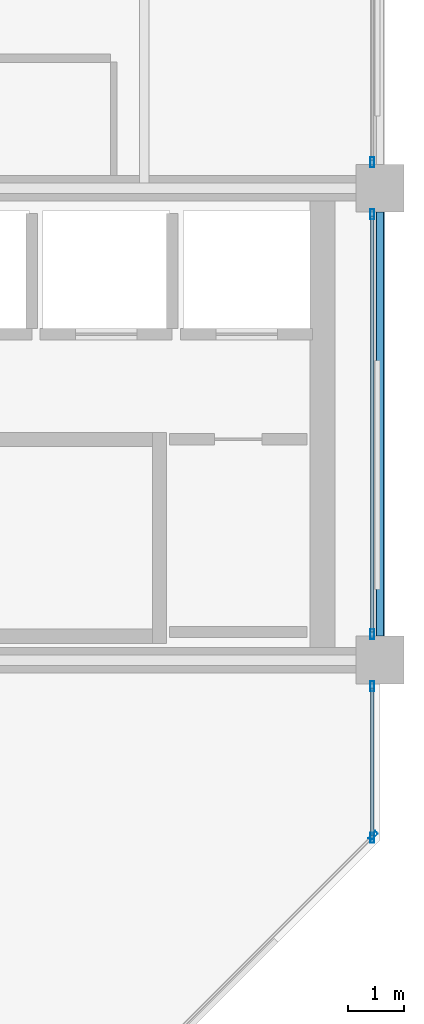
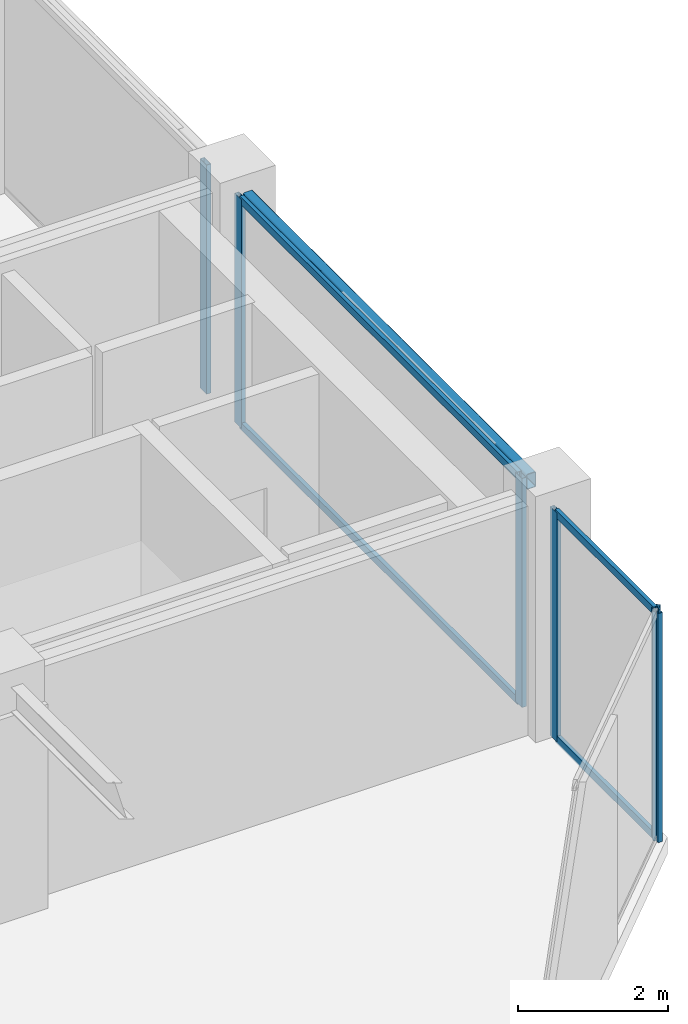
# One storey, part 14 of 24: 10 members, 1 beam, 4 elements without a shape of their own.
"""IFC4 building model written with IfcOpenShell, lengths in metres."""

from ifc_helpers import new_model, si_unit, direction, frame, origin, origin_2d, place, context, subcontext, project, spatial, hollow_rectangle, extrude, material, layer, layer_set, material_profile, profile_set, type_object, element, aggregate, save


model = new_model("IFC4")

# Units and contexts
model_context = context("Model", 3, precision=1e-05, world=origin(), true_north=direction((0.0, 1.0)))
body_context = subcontext(model_context, "Body", "Model", "MODEL_VIEW")
ifc_project = project(units=[si_unit("LENGTHUNIT", "METRE"), si_unit("AREAUNIT", "SQUARE_METRE"), si_unit("VOLUMEUNIT", "CUBIC_METRE"), si_unit("PLANEANGLEUNIT", "RADIAN"), si_unit("MASSUNIT", "GRAM", prefix="KILO")], contexts=[model_context])

# Site, building, storey
site_placement = place(None, origin())
site = spatial("IfcSite", under=ifc_project, at=site_placement, CompositionType="ELEMENT")
building_placement = place(site_placement, origin())
building = spatial("IfcBuilding", under=site, at=building_placement, Name="Nerrivon Quay Data Exchange", CompositionType="ELEMENT")
storey_placement = place(building_placement, frame((0.0, 0.0, 298.199951171875)))
storey = spatial("IfcBuildingStorey", under=building, at=storey_placement, Name="L71", CompositionType="ELEMENT", Elevation=298.199951171875)

# Beam
ifc_material_1 = material(Name="Steel Grade C350L0 (350 MPa)", Category="steel")
ifc_material_profile_1 = material_profile(ifc_material_1, hollow_rectangle(XDim=0.14990234375, YDim=0.25, WallThickness=0.009033203125, InnerFilletRadius=0.013427734375, OuterFilletRadius=0.0224609375, at=origin_2d()), Name="250x150x9.0RHS")
ifc_profile_set_1 = profile_set([ifc_material_profile_1], Name="Steel Grade C350L0 (350 MPa)")
beam_type = type_object("IfcBeamType", Name="BM-SP4-250x150RHS", PredefinedType="SPANDREL", material=ifc_profile_set_1)
beam_placement = place(storey_placement, frame((33.60009765625, 8.824951171875, 3.60009765625), z_axis=(0.0, 1.0, 0.0), x_axis=(-1.0, 0.0, 0.0)))
element("IfcBeam", 1, at=beam_placement, inside=storey, type_object=beam_type, Name="L71 NS Girder X=33.6 (8.4..16.8)", PredefinedType="SPANDREL", context=body_context, shape_type="SweptSolid", body=[
    extrude(hollow_rectangle(XDim=0.14990234375, YDim=0.25, WallThickness=0.009033203125, InnerFilletRadius=0.013427734375, OuterFilletRadius=0.0224609375, at=origin_2d()), origin(), (0.0, 0.0, 1.0), 7.550048828125),
])

# Curtain wall, member
ifc_material_2 = material(Name="Anodised aluminium 6063-T6", Category="aluminium")
ifc_layer = layer(ifc_material_2, 0.195068359375)
ifc_layer_set = layer_set([ifc_layer], Name="Anodised aluminium 6063-T6")
curtain_wall_type = type_object("IfcCurtainWallType", Name="CW-SYS-06", PredefinedType="NOTDEFINED", material=ifc_layer_set)
curtain_wall_1_placement = place(storey_placement, origin())
curtain_wall_1 = element("IfcCurtainWall", 2, at=curtain_wall_1_placement, inside=storey, type_object=curtain_wall_type, Name="L71 Unitised Curtain Wall 1", PredefinedType="NOTDEFINED")
ifc_material_profile_2 = material_profile(ifc_material_2, hollow_rectangle(XDim=0.06494140625, YDim=0.179931640625, WallThickness=0.00341796875, at=origin_2d()), Name="ALU-MULL-180x65")
ifc_profile_set_2 = profile_set([ifc_material_profile_2], Name="Anodised aluminium 6063-T6")
member_type_1 = type_object("IfcMemberType", Name="CWM-180x65", PredefinedType="MULLION", material=ifc_profile_set_2)
member_1_placement = place(storey_placement, frame((33.474365234375, 5.2724609375, 0.0), z_axis=(0.0, 0.0, 1.0), x_axis=(0.707106781187, -0.707106781187, 0.0)))
member_1 = element("IfcMember", 3, at=member_1_placement, type_object=member_type_1, Name="CW06 mullion 1", PredefinedType="MULLION", context=body_context, shape_type="SweptSolid", body=[
    extrude(hollow_rectangle(XDim=0.06494140625, YDim=0.179931640625, WallThickness=0.00341796875, at=origin_2d()), origin(), (0.0, 0.0, 1.0), 3.72509765625),
])
aggregate(curtain_wall_1, [member_1])

curtain_wall_2_placement = place(storey_placement, origin())
curtain_wall_2 = element("IfcCurtainWall", 4, at=curtain_wall_2_placement, inside=storey, type_object=curtain_wall_type, Name="L71 Unitised Curtain Wall 22", PredefinedType="NOTDEFINED")
member_2_placement = place(storey_placement, frame((33.4599609375, 17.262451171875, 0.0), z_axis=(0.0, 0.0, 1.0), x_axis=(1.0, 0.0, 0.0)))
member_2 = element("IfcMember", 5, at=member_2_placement, type_object=member_type_1, Name="CW06 mullion 2", PredefinedType="MULLION", context=body_context, shape_type="SweptSolid", body=[
    extrude(hollow_rectangle(XDim=0.06494140625, YDim=0.179931640625, WallThickness=0.00341796875, at=origin_2d()), origin(), (0.0, 0.0, 1.0), 3.72509765625),
])
aggregate(curtain_wall_2, [member_2])

# Curtain wall, members
curtain_wall_3_placement = place(storey_placement, origin())
curtain_wall_3 = element("IfcCurtainWall", 6, at=curtain_wall_3_placement, inside=storey, type_object=curtain_wall_type, Name="L71 Unitised Curtain Wall 23", PredefinedType="NOTDEFINED")
member_3_placement = place(storey_placement, frame((33.4599609375, 16.33740234375, 0.0), z_axis=(0.0, 0.0, 1.0), x_axis=(1.0, 0.0, 0.0)))
member_3 = element("IfcMember", 7, at=member_3_placement, type_object=member_type_1, Name="CW06 mullion 1", PredefinedType="MULLION", context=body_context, shape_type="SweptSolid", body=[
    extrude(hollow_rectangle(XDim=0.06494140625, YDim=0.179931640625, WallThickness=0.00341796875, at=origin_2d()), origin(), (0.0, 0.0, 1.0), 3.72509765625),
])
member_4_placement = place(storey_placement, frame((33.4599609375, 8.862548828125, 0.0), z_axis=(0.0, 0.0, 1.0), x_axis=(1.0, 0.0, 0.0)))
member_4 = element("IfcMember", 8, at=member_4_placement, type_object=member_type_1, Name="CW06 mullion 2", PredefinedType="MULLION", context=body_context, shape_type="SweptSolid", body=[
    extrude(hollow_rectangle(XDim=0.06494140625, YDim=0.179931640625, WallThickness=0.00341796875, at=origin_2d()), origin(), (0.0, 0.0, 1.0), 3.72509765625),
])

curtain_wall_4_placement = place(storey_placement, origin())
curtain_wall_4 = element("IfcCurtainWall", 9, at=curtain_wall_4_placement, inside=storey, type_object=curtain_wall_type, Name="L71 Unitised Curtain Wall 24", PredefinedType="NOTDEFINED")
member_5_placement = place(storey_placement, frame((33.4599609375, 7.9375, 0.0), z_axis=(0.0, 0.0, 1.0), x_axis=(1.0, 0.0, 0.0)))
member_5 = element("IfcMember", 10, at=member_5_placement, type_object=member_type_1, Name="CW06 mullion 1", PredefinedType="MULLION", context=body_context, shape_type="SweptSolid", body=[
    extrude(hollow_rectangle(XDim=0.06494140625, YDim=0.179931640625, WallThickness=0.00341796875, at=origin_2d()), origin(), (0.0, 0.0, 1.0), 3.72509765625),
])
member_6_placement = place(storey_placement, frame((33.4599609375, 5.237548828125, 0.0), z_axis=(0.0, 0.0, 1.0), x_axis=(1.0, 0.0, 0.0)))
member_6 = element("IfcMember", 11, at=member_6_placement, type_object=member_type_1, Name="CW06 mullion 2", PredefinedType="MULLION", context=body_context, shape_type="SweptSolid", body=[
    extrude(hollow_rectangle(XDim=0.06494140625, YDim=0.179931640625, WallThickness=0.00341796875, at=origin_2d()), origin(), (0.0, 0.0, 1.0), 3.72509765625),
])

# Member
ifc_material_profile_3 = material_profile(ifc_material_2, hollow_rectangle(XDim=0.06005859375, YDim=0.1201171875, WallThickness=0.003173828125, at=origin_2d()), Name="ALU-TRAN-120x60")
ifc_profile_set_3 = profile_set([ifc_material_profile_3], Name="Anodised aluminium 6063-T6")
member_type_2 = type_object("IfcMemberType", Name="CWT-120x60", PredefinedType="USERDEFINED", material=ifc_profile_set_3)
member_7_placement = place(storey_placement, frame((33.4599609375, 16.300048828125, 0.032470703125), z_axis=(0.0, -1.0, 0.0), x_axis=(1.0, 0.0, 0.0)))
member_7 = element("IfcMember", 12, at=member_7_placement, type_object=member_type_2, Name="CW06 transom 1.1", ObjectType="TRANSOM", PredefinedType="USERDEFINED", context=body_context, shape_type="SweptSolid", body=[
    extrude(hollow_rectangle(XDim=0.06005859375, YDim=0.1201171875, WallThickness=0.003173828125, at=origin_2d()), origin(), (0.0, 0.0, 1.0), 7.400146484375),
])

member_8_placement = place(storey_placement, frame((33.4599609375, 16.300048828125, 3.692626953125), z_axis=(0.0, -1.0, 0.0), x_axis=(1.0, 0.0, 0.0)))
member_8 = element("IfcMember", 13, at=member_8_placement, type_object=member_type_2, Name="CW06 transom 1.2", ObjectType="TRANSOM", PredefinedType="USERDEFINED", context=body_context, shape_type="SweptSolid", body=[
    extrude(hollow_rectangle(XDim=0.06005859375, YDim=0.1201171875, WallThickness=0.003173828125, at=origin_2d()), origin(), (0.0, 0.0, 1.0), 7.400146484375),
])

aggregate(curtain_wall_3, [member_3, member_4, member_7, member_8])

member_9_placement = place(storey_placement, frame((33.4599609375, 7.89990234375, 0.032470703125), z_axis=(0.0, -1.0, 0.0), x_axis=(1.0, 0.0, 0.0)))
member_9 = element("IfcMember", 14, at=member_9_placement, type_object=member_type_2, Name="CW06 transom 1.1", ObjectType="TRANSOM", PredefinedType="USERDEFINED", context=body_context, shape_type="SweptSolid", body=[
    extrude(hollow_rectangle(XDim=0.06005859375, YDim=0.1201171875, WallThickness=0.003173828125, at=origin_2d()), origin(), (0.0, 0.0, 1.0), 2.625),
])

member_10_placement = place(storey_placement, frame((33.4599609375, 7.89990234375, 3.692626953125), z_axis=(0.0, -1.0, 0.0), x_axis=(1.0, 0.0, 0.0)))
member_10 = element("IfcMember", 15, at=member_10_placement, type_object=member_type_2, Name="CW06 transom 1.2", ObjectType="TRANSOM", PredefinedType="USERDEFINED", context=body_context, shape_type="SweptSolid", body=[
    extrude(hollow_rectangle(XDim=0.06005859375, YDim=0.1201171875, WallThickness=0.003173828125, at=origin_2d()), origin(), (0.0, 0.0, 1.0), 2.625),
])

aggregate(curtain_wall_4, [member_5, member_6, member_9, member_10])

save(model, "model.ifc")
